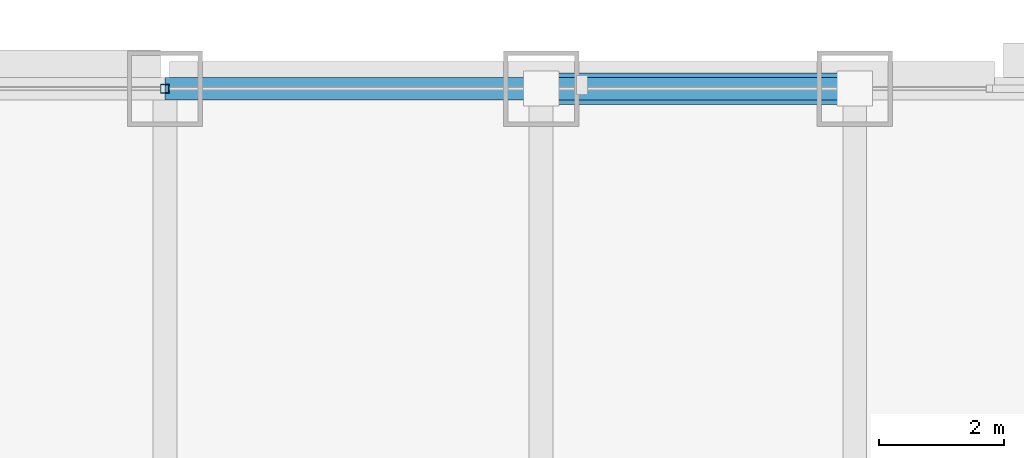
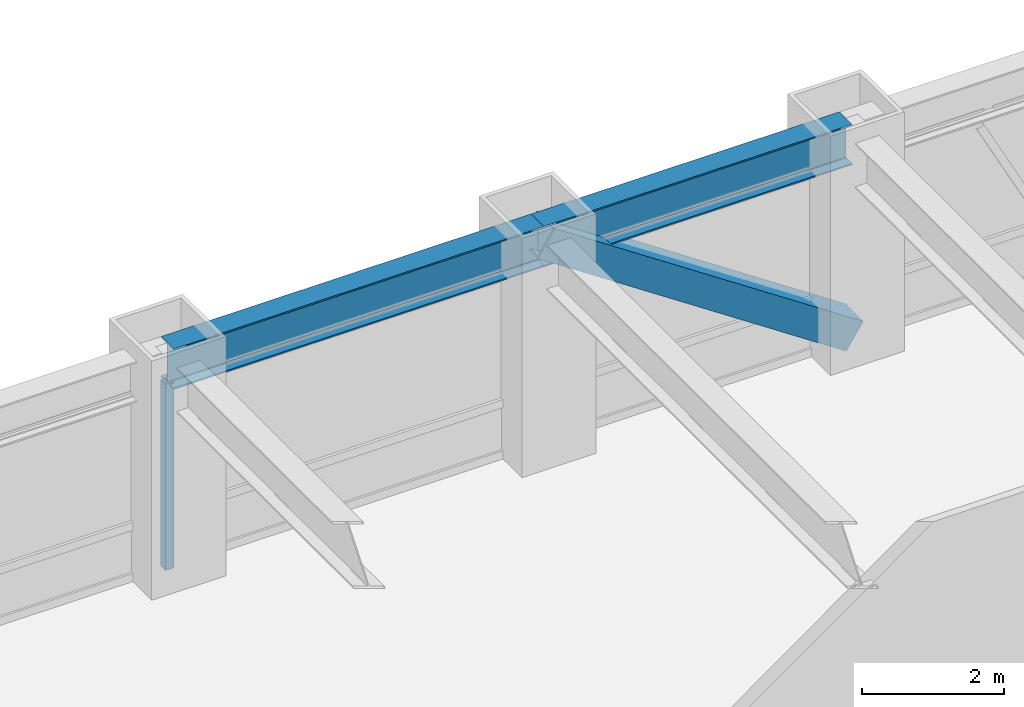
# One storey, part 19 of 32: 2 beams, 2 members, 1 element without a shape of its own.
"""IFC4 building model written with IfcOpenShell, lengths in metres."""

from ifc_helpers import new_model, si_unit, direction, frame, origin, origin_2d, place, context, subcontext, project, spatial, hollow_rectangle, i_section, extrude, source, transform, mapped, material, material_profile, profile_set, type_object, element, aggregate, save


model = new_model("IFC4")

# Units and contexts
model_context = context("Model", 3, precision=1e-05, world=origin(), true_north=direction((0.0, 1.0)))
body_context = subcontext(model_context, "Body", "Model", "MODEL_VIEW")
ifc_project = project(units=[si_unit("LENGTHUNIT", "METRE"), si_unit("AREAUNIT", "SQUARE_METRE"), si_unit("VOLUMEUNIT", "CUBIC_METRE"), si_unit("PLANEANGLEUNIT", "RADIAN"), si_unit("MASSUNIT", "GRAM", prefix="KILO")], contexts=[model_context])

# Site, building, storey
site_placement = place(None, origin())
site = spatial("IfcSite", under=ifc_project, at=site_placement, CompositionType="ELEMENT")
building_placement = place(site_placement, origin())
building = spatial("IfcBuilding", under=site, at=building_placement, Name="Khorayat Bourse Tower", CompositionType="ELEMENT")
storey_placement = place(building_placement, frame((0.0, 0.0, 95.5)))
storey = spatial("IfcBuildingStorey", under=building, at=storey_placement, Name="L21", CompositionType="ELEMENT", Elevation=95.5)

# Beams
ifc_material_1 = material(Name="Steel ASTM A992 Grade 50", Category="steel")
ifc_material_profile_1 = material_profile(ifc_material_1, i_section(OverallWidth=0.35498046875, OverallDepth=0.695068359375, WebThickness=0.015380859375, FlangeThickness=0.02490234375, FilletRadius=0.01806640625, at=origin_2d()), Name="W690X217")
ifc_profile_set_1 = profile_set([ifc_material_profile_1], Name="Steel ASTM A992 Grade 50")
beam_type = type_object("IfcBeamType", Name="BM-SPAN-690", PredefinedType="SPANDREL", material=ifc_profile_set_1)
shared_shape_1 = source(origin(), body_context, "Body", "SweptSolid", [
    extrude(i_section(OverallWidth=0.35498046875, OverallDepth=0.695068359375, WebThickness=0.015380859375, FlangeThickness=0.02490234375, FilletRadius=0.01806640625, at=origin_2d()), origin(), (0.0, 0.0, 1.0), 5.0),
])
beam_1_placement = place(storey_placement, frame((6.0, 32.0, 3.492431640625), z_axis=(1.0, 0.0, 0.0), x_axis=(0.0, 1.0, 0.0)))
element("IfcBeam", 1, at=beam_1_placement, inside=storey, type_object=beam_type, Name="L21 BM-SPAN-690 BM-L21-SPN-046", PredefinedType="SPANDREL", context=body_context, shape_type="MappedRepresentation", body=[
    mapped(shared_shape_1, transform((0.0, 0.0, 0.0), scale=1.0)),
])
shared_shape_2 = source(origin(), body_context, "Body", "SweptSolid", [
    extrude(i_section(OverallWidth=0.35498046875, OverallDepth=0.695068359375, WebThickness=0.015380859375, FlangeThickness=0.02490234375, FilletRadius=0.01806640625, at=origin_2d()), origin(), (0.0, 0.0, 1.0), 6.0),
])
beam_2_placement = place(storey_placement, frame((0.0, 32.0, 3.492431640625), z_axis=(1.0, 0.0, 0.0), x_axis=(0.0, 1.0, 0.0)))
element("IfcBeam", 2, at=beam_2_placement, inside=storey, type_object=beam_type, Name="L21 BM-SPAN-690 BM-L21-SPN-047", PredefinedType="SPANDREL", context=body_context, shape_type="MappedRepresentation", body=[
    mapped(shared_shape_2, transform((0.0, 0.0, 0.0), scale=1.0)),
])

# Member
ifc_material_2 = material(Name="Steel EN 10025-4 S460M", Category="steel")
ifc_material_profile_2 = material_profile(ifc_material_2, hollow_rectangle(XDim=0.5, YDim=0.5, WallThickness=0.028076171875, at=origin_2d()), Name="HSS 500x500x28")
ifc_profile_set_2 = profile_set([ifc_material_profile_2], Name="Steel EN 10025-4 S460M")
member_type_1 = type_object("IfcMemberType", Name="MBR-TUBE-500", PredefinedType="BRACE", material=ifc_profile_set_2)
shared_shape_3 = source(origin(), body_context, "Body", "SweptSolid", [
    extrude(hollow_rectangle(XDim=0.5, YDim=0.5, WallThickness=0.028076171875, at=origin_2d()), origin(), (0.0, 0.0, 1.0), 6.012939453125),
])
member_1_placement = place(storey_placement, frame((6.0, 32.0, 3.590087890625), z_axis=(0.831531473026, 0.0, -0.555477640745), x_axis=(0.0, 1.0, 0.0)))
element("IfcMember", 3, at=member_1_placement, inside=storey, type_object=member_type_1, Name="L21 Perimeter Tube Brace 04", PredefinedType="BRACE", context=body_context, shape_type="MappedRepresentation", body=[
    mapped(shared_shape_3, transform((0.0, 0.0, 0.0), scale=1.0)),
])

# Curtain wall, member
ifc_material_3 = material(Name="Aluminium EN AW-6063 T6", Category="aluminium")
curtain_wall_type = type_object("IfcCurtainWallType", Name="CW-SYS-02", PredefinedType="NOTDEFINED", material=ifc_material_3)
curtain_wall_placement = place(storey_placement, origin())
curtain_wall = element("IfcCurtainWall", 4, at=curtain_wall_placement, inside=storey, type_object=curtain_wall_type, Name="L21 Curtain Wall CW-L21-N1", PredefinedType="NOTDEFINED")
ifc_material_profile_3 = material_profile(ifc_material_3, hollow_rectangle(XDim=0.139892578125, YDim=0.139892578125, WallThickness=0.006103515625, at=origin_2d()), Name="ALU 140x140x6")
ifc_profile_set_3 = profile_set([ifc_material_profile_3], Name="Aluminium EN AW-6063 T6")
member_type_2 = type_object("IfcMemberType", Name="CWM-VERT-140", PredefinedType="MULLION", material=ifc_profile_set_3)
shared_shape_4 = source(origin(), body_context, "Body", "SweptSolid", [
    extrude(hollow_rectangle(XDim=0.139892578125, YDim=0.139892578125, WallThickness=0.006103515625, at=origin_2d()), origin(), (0.0, 0.0, 1.0), 3.18994140625),
])
member_2_placement = place(storey_placement, frame((0.0, 32.0, 0.0), z_axis=(0.0, 0.0, 1.0), x_axis=(0.0, 1.0, 0.0)))
member_2 = element("IfcMember", 5, at=member_2_placement, type_object=member_type_2, Name="CW-L21-N1 Vertical Mullion 2", PredefinedType="MULLION", context=body_context, shape_type="MappedRepresentation", body=[
    mapped(shared_shape_4, transform((0.0, 0.0, 0.0), scale=1.0)),
])
aggregate(curtain_wall, [member_2])

save(model, "model.ifc")
